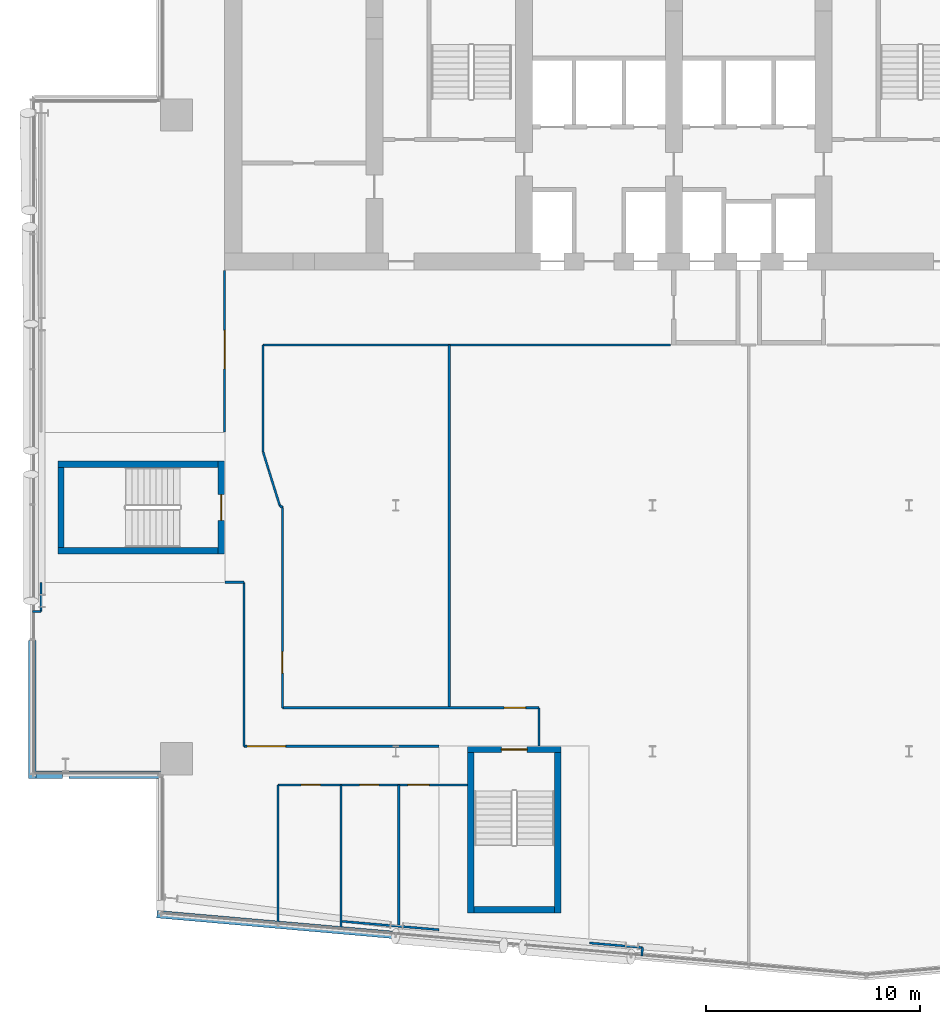
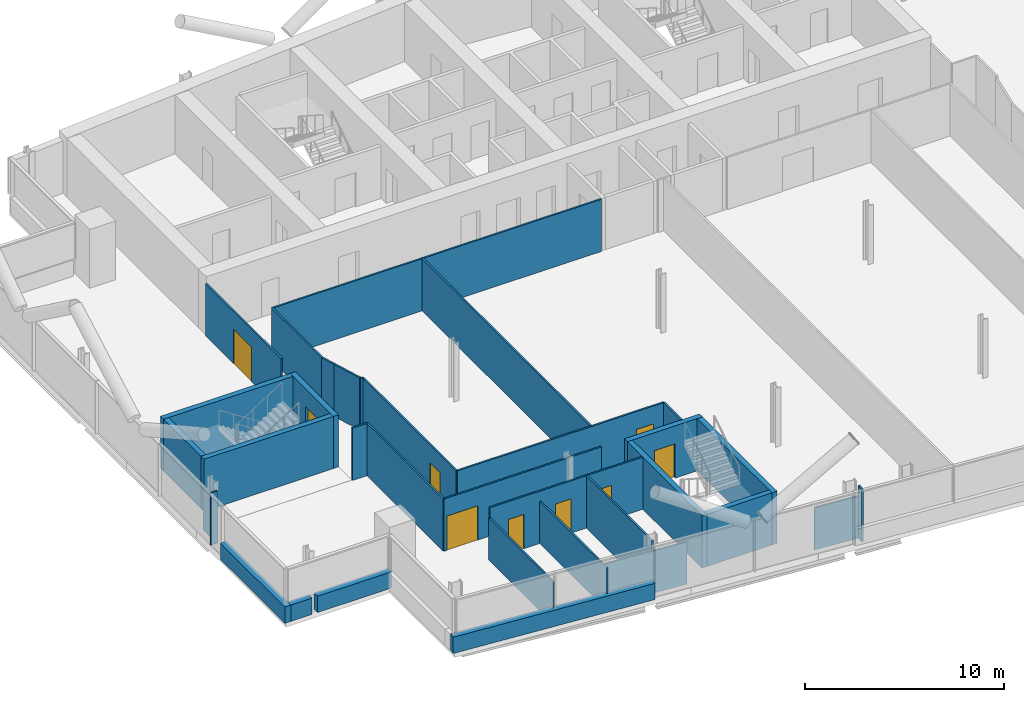
# One storey, part 14 of 26: 34 walls, 9 doors, 9 openings.
"""IFC4 building model written with IfcOpenShell, lengths in metres."""

import ifcopenshell
import ifcopenshell.guid

model = None  # the IFC model being written
_history = None  # IfcOwnerHistory: only IFC2X3 demands one
_inside = {}  # id of a spatial element -> (the spatial element, [elements in it])
_under = {}  # id of a project, library or spatial element -> (it, [spatial elements below it])
_declared = {}  # id of a project -> (the project, [libraries it declares])
_typed = {}  # id of a type object -> (the type object, [elements of that type])
_made_of = {}  # id of a material, layer set ... -> (it, [elements and type objects made of it])


def new_model(schema):
    """Start an empty IFC model of exactly this schema.

    Asked for "IFC4X3", IfcOpenShell would pick the latest addendum, in which some entities
    have other attributes; the version numbers below select the first issue.
    IFC2X3 requires an IfcOwnerHistory on every rooted entity: one is made here for all.
    """
    global model, _history
    if schema == "IFC4X3":
        model = ifcopenshell.file(schema_version=(4, 3, 0, 0))
    else:
        model = ifcopenshell.file(schema=schema)
    _inside.clear()
    _under.clear()
    _declared.clear()
    _typed.clear()
    _made_of.clear()
    _history = None
    if model.schema == "IFC2X3":
        org = make("IfcOrganization", Name="unknown")
        user = make(
            "IfcPersonAndOrganization",
            ThePerson=make("IfcPerson", FamilyName="unknown"),
            TheOrganization=org,
        )
        app = make(
            "IfcApplication",
            ApplicationDeveloper=org,
            Version="unknown",
            ApplicationFullName="unknown",
            ApplicationIdentifier="unknown",
        )
        _history = make(
            "IfcOwnerHistory",
            OwningUser=user,
            OwningApplication=app,
            ChangeAction="ADDED",
            CreationDate=0,
        )
    return model


def make(cls, **values):
    """One entity of the class cls with the attributes given. An attribute that is None is left unset."""
    return model.create_entity(
        cls, **{name: value for name, value in values.items() if value is not None}
    )


def rooted(cls, **values):
    """An entity with a GlobalId (a new one), such as an element, a storey or a relation."""
    return make(cls, GlobalId=ifcopenshell.guid.new(), OwnerHistory=_history, **values)


def si_unit(unit_type, name, prefix=None):
    """IfcSIUnit, for example si_unit("LENGTHUNIT", "METRE", prefix="MILLI")."""
    return make("IfcSIUnit", UnitType=unit_type, Prefix=prefix, Name=name)


def assignment(units):
    """IfcUnitAssignment: the units of a project."""
    return None if units is None else make("IfcUnitAssignment", Units=units)


def point(xyz):
    """IfcCartesianPoint."""
    return None if xyz is None else make("IfcCartesianPoint", Coordinates=xyz)


def direction(xyz):
    """IfcDirection."""
    return None if xyz is None else make("IfcDirection", DirectionRatios=xyz)


def frame(location, z_axis=None, x_axis=None):
    """IfcAxis2Placement3D, a coordinate frame: its origin and axes. An axis left out is left unset."""
    return make(
        "IfcAxis2Placement3D",
        Location=point(location),
        Axis=direction(z_axis),
        RefDirection=direction(x_axis),
    )


def frame_2d(location, x_axis=None):
    """IfcAxis2Placement2D, a coordinate frame in the plane: its origin and x axis."""
    return make(
        "IfcAxis2Placement2D", Location=point(location), RefDirection=direction(x_axis)
    )


def origin():
    """The frame at (0, 0, 0) with its axes left unset."""
    return frame((0.0, 0.0, 0.0))


def place(relative_to, where):
    """IfcLocalPlacement: puts the frame where relative to a parent placement (None: the world)."""
    return make(
        "IfcLocalPlacement", PlacementRelTo=relative_to, RelativePlacement=where
    )


def context(
    kind, dimensions, precision=None, world=None, true_north=None, identifier=None
):
    """IfcGeometricRepresentationContext, for example the 3D "Model" context."""
    return make(
        "IfcGeometricRepresentationContext",
        ContextIdentifier=identifier,
        ContextType=kind,
        CoordinateSpaceDimension=dimensions,
        Precision=precision,
        WorldCoordinateSystem=world,
        TrueNorth=true_north,
    )


def subcontext(parent, identifier, kind, view, scale=None):
    """IfcGeometricRepresentationSubContext, for example "Body" below "Model"."""
    return make(
        "IfcGeometricRepresentationSubContext",
        ContextIdentifier=identifier,
        ContextType=kind,
        ParentContext=parent,
        TargetScale=scale,
        TargetView=view,
    )


def project(units=None, contexts=None):
    """IfcProject with its units and contexts."""
    return rooted(
        "IfcProject",
        Name="project",
        RepresentationContexts=contexts,
        UnitsInContext=assignment(units),
    )


def spatial(cls, under=None, at=None, **own):
    """A site, building, storey or space (cls), placed at a placement, below another one or the project."""
    s = rooted(cls, ObjectPlacement=at, **own)
    if under is not None:
        _under.setdefault(under.id(), (under, []))[1].append(s)
    return s


def profile(cls, at=None, kind="AREA", **sizes):
    """A parametric profile (cls). Its sizes go by their IFC names, for example OverallWidth=200.0."""
    return make(cls, ProfileType=kind, Position=at, **sizes)


def rectangle(**sizes):
    """IfcRectangleProfileDef."""
    return profile("IfcRectangleProfileDef", **sizes)


def extrude(swept, where, along, depth):
    """IfcExtrudedAreaSolid: the profile swept, set in the frame where, extruded along a direction by depth."""
    return make(
        "IfcExtrudedAreaSolid",
        SweptArea=swept,
        Position=where,
        ExtrudedDirection=direction(along),
        Depth=depth,
    )


def shape(context_of_items, identifier, shape_type, items):
    """IfcShapeRepresentation: the items that make up one representation, for example the "Body"."""
    return make(
        "IfcShapeRepresentation",
        ContextOfItems=context_of_items,
        RepresentationIdentifier=identifier,
        RepresentationType=shape_type,
        Items=items,
    )


def material(Name=None, Category=None):
    """IfcMaterial."""
    return make("IfcMaterial", Name=Name, Category=Category)


def layer(
    of_material, thickness, ventilated=None, Name=None, Category=None, Priority=None
):
    """IfcMaterialLayer: one layer of a wall or slab, of a material (None: an air gap)."""
    return make(
        "IfcMaterialLayer",
        Material=of_material,
        LayerThickness=thickness,
        IsVentilated=ventilated,
        Name=Name,
        Category=Category,
        Priority=Priority,
    )


def layer_set(layers, Name=None):
    """IfcMaterialLayerSet."""
    return make("IfcMaterialLayerSet", MaterialLayers=layers, LayerSetName=Name)


def made_of(thing, what):
    """Note that an element or type object is made of a material, layer set ...; save() writes the relation."""
    if what is not None:
        _made_of.setdefault(what.id(), (what, []))[1].append(thing)
    return thing


def type_object(cls, material=None, **own):
    """A type object (cls), such as IfcWallType, which elements share."""
    return made_of(rooted(cls, **own), material)


def element(
    cls,
    number,
    at=None,
    inside=None,
    cuts=None,
    type_object=None,
    material=None,
    context=None,
    identifier="Body",
    shape_type=None,
    held_by="IfcProductDefinitionShape",
    body=None,
    shapes=None,
    **own,
):
    """One element of the class cls, such as IfcWall. Its Tag is "e" and its number.

    at: its placement. inside: the storey or other place that contains it. cuts: it is an
    opening in that element (IfcRelVoidsElement). A single representation is given by context,
    identifier, shape_type and body (its items); several are given by shapes. held_by: the class
    of the entity that holds the representations. save() writes the other relations.
    """
    e = rooted(cls, Tag="e%d" % number, ObjectPlacement=at, **own)
    if body is not None:
        shapes = [shape(context, identifier, shape_type, body)]
    if shapes is not None:
        e.Representation = make(held_by, Representations=shapes)
    if inside is not None:
        _inside.setdefault(inside.id(), (inside, []))[1].append(e)
    if cuts is not None:
        rooted(
            "IfcRelVoidsElement", RelatingBuildingElement=cuts, RelatedOpeningElement=e
        )
    if type_object is not None:
        _typed.setdefault(type_object.id(), (type_object, []))[1].append(e)
    return made_of(e, material)


def fill(opening, filler):
    """IfcRelFillsElement: the door or window that sits in an opening."""
    return rooted(
        "IfcRelFillsElement",
        RelatingOpeningElement=opening,
        RelatedBuildingElement=filler,
    )


def aggregate(whole, parts):
    """IfcRelAggregates: a whole, such as a stair, and the parts it consists of."""
    return rooted("IfcRelAggregates", RelatingObject=whole, RelatedObjects=parts)


def save(model, path):
    """Write the relations noted so far, then the file.

    IfcRelAggregates (storeys below a building ...), IfcRelContainedInSpatialStructure (elements
    in a storey), IfcRelDefinesByType, IfcRelAssociatesMaterial and IfcRelDeclares: one each for
    every whole, place, type object, material and project.
    """
    for whole, parts in _under.values():
        aggregate(whole, parts)
    for where, things in _inside.values():
        rooted(
            "IfcRelContainedInSpatialStructure",
            RelatedElements=things,
            RelatingStructure=where,
        )
    for kind, things in _typed.values():
        rooted("IfcRelDefinesByType", RelatedObjects=things, RelatingType=kind)
    for what, things in _made_of.values():
        rooted("IfcRelAssociatesMaterial", RelatedObjects=things, RelatingMaterial=what)
    for by, libraries in _declared.values():
        rooted("IfcRelDeclares", RelatingContext=by, RelatedDefinitions=libraries)
    model.write(path)


model = new_model("IFC4")

# Units and contexts
model_context = context("Model", 3, precision=1e-05, world=origin(), true_north=direction((0.0, 1.0)))
body_context = subcontext(model_context, "Body", "Model", "MODEL_VIEW")
ifc_project = project(units=[si_unit("LENGTHUNIT", "METRE"), si_unit("AREAUNIT", "SQUARE_METRE"), si_unit("VOLUMEUNIT", "CUBIC_METRE"), si_unit("PLANEANGLEUNIT", "RADIAN"), si_unit("MASSUNIT", "GRAM", prefix="KILO")], contexts=[model_context])

# Site, building, storey
site_placement = place(None, origin())
site = spatial("IfcSite", under=ifc_project, at=site_placement, CompositionType="ELEMENT")
building_placement = place(site_placement, origin())
building = spatial("IfcBuilding", under=site, at=building_placement, Name="Wharfspan Tower", CompositionType="ELEMENT")
storey_placement = place(building_placement, frame((0.0, 0.0, 180.699951)))
storey = spatial("IfcBuildingStorey", under=building, at=storey_placement, Name="L44", CompositionType="ELEMENT", Elevation=180.699951)

# Wall, opening, door
ifc_material_1 = material(Name="Gypsum board on steel studs", Category="steel")
ifc_layer_1 = layer(ifc_material_1, 0.100098)
ifc_layer_set_1 = layer_set([ifc_layer_1], Name="Gypsum board on steel studs")
wall_type_1 = type_object("IfcWallType", Name="Compartment wall 100 EI 60", PredefinedType="PARTITIONING", material=ifc_layer_set_1)
wall_1_placement = place(storey_placement, frame((16.0, 26.419922, 0.0), z_axis=(0.0, 0.0, 1.0), x_axis=(0.0, 1.0, 0.0)))
wall_1 = element("IfcWall", 1, at=wall_1_placement, inside=storey, type_object=wall_type_1, Name="Partition L44.w004", PredefinedType="PARTITIONING", context=body_context, shape_type="SweptSolid", body=[
    extrude(rectangle(XDim=7.560059, YDim=0.100098, at=frame_2d((3.780029, 0.0))), origin(), (0.0, 0.0, 1.0), 3.199951),
])
opening_1_placement = place(wall_1_placement, frame((2.959961, 0.0, 0.0)))
opening_1 = element("IfcOpeningElement", 2, at=opening_1_placement, cuts=wall_1, Name="Opening C4-10", PredefinedType="OPENING", context=body_context, shape_type="SweptSolid", body=[
    extrude(rectangle(XDim=1.800049, YDim=2.100098, at=frame_2d((0.899902, 1.050049))), frame((0.0, 0.060059, 0.0), z_axis=(0.0, -1.0, 0.0), x_axis=(1.0, 0.0, 0.0)), (0.0, 0.0, 1.0), 0.120117),
])
ifc_material_2 = material(Name="Fire-rated timber door leaf in steel frame", Category="steel")
door_type_1 = type_object("IfcDoorType", Name="Door 1800 FD30S Double", OperationType="DOUBLE_DOOR_SINGLE_SWING", PredefinedType="DOOR", material=ifc_material_2)
door_1_placement = place(opening_1_placement, origin())
door_1 = element("IfcDoor", 3, at=door_1_placement, inside=storey, type_object=door_type_1, Name="Door C4-10", OperationType="DOUBLE_DOOR_SINGLE_SWING", OverallHeight=2.100098, OverallWidth=1.800049, PredefinedType="DOOR", context=body_context, shape_type="SweptSolid", body=[
    extrude(rectangle(XDim=1.800049, YDim=2.100098, at=frame_2d((0.899902, 1.050049))), frame((0.0, 0.024902, 0.0), z_axis=(0.0, -1.0, 0.0), x_axis=(1.0, 0.0, 0.0)), (0.0, 0.0, 1.0), 0.050049),
])
fill(opening_1, door_1)

# Walls
wall_2_placement = place(storey_placement, frame((16.02002, 19.399902, 0.0), z_axis=(0.0, 0.0, 1.0), x_axis=(1.0, 0.0, 0.0)))
element("IfcWall", 4, at=wall_2_placement, inside=storey, type_object=wall_type_1, Name="Partition L44.w005", PredefinedType="PARTITIONING", context=body_context, shape_type="SweptSolid", body=[
    extrude(rectangle(XDim=0.879883, YDim=0.100098, at=frame_2d((0.439941, 0.0))), origin(), (0.0, 0.0, 1.0), 3.199951),
])
wall_3_placement = place(storey_placement, frame((16.899902, 11.735107, 0.0), z_axis=(0.0, 0.0, 1.0), x_axis=(0.0, 1.0, 0.0)))
element("IfcWall", 5, at=wall_3_placement, inside=storey, type_object=wall_type_1, Name="Partition L44.w006", PredefinedType="PARTITIONING", context=body_context, shape_type="SweptSolid", body=[
    extrude(rectangle(XDim=7.664795, YDim=0.100098, at=frame_2d((3.83252, 0.0))), origin(), (0.0, 0.0, 1.0), 3.199951),
])

# Wall, opening, door
wall_4_placement = place(storey_placement, frame((16.899902, 11.735107, 0.0), z_axis=(0.0, 0.0, 1.0), x_axis=(1.0, 0.0, 0.0)))
wall_4 = element("IfcWall", 6, at=wall_4_placement, inside=storey, type_object=wall_type_1, Name="Partition L44.w007", PredefinedType="PARTITIONING", context=body_context, shape_type="SweptSolid", body=[
    extrude(rectangle(XDim=9.119385, YDim=0.100098, at=frame_2d((4.55957, 0.0))), origin(), (0.0, 0.0, 1.0), 3.199951),
])
opening_2_placement = place(wall_4_placement, frame((0.155029, 0.0, 0.0)))
opening_2 = element("IfcOpeningElement", 7, at=opening_2_placement, cuts=wall_4, Name="Opening C4-04", PredefinedType="OPENING", context=body_context, shape_type="SweptSolid", body=[
    extrude(rectangle(XDim=1.800049, YDim=2.100098, at=frame_2d((0.899902, 1.050049))), frame((0.0, 0.060059, 0.0), z_axis=(0.0, -1.0, 0.0), x_axis=(1.0, 0.0, 0.0)), (0.0, 0.0, 1.0), 0.120117),
])
door_2_placement = place(opening_2_placement, origin())
door_2 = element("IfcDoor", 8, at=door_2_placement, inside=storey, type_object=door_type_1, Name="Door C4-04", OperationType="DOUBLE_DOOR_SINGLE_SWING", OverallHeight=2.100098, OverallWidth=1.800049, PredefinedType="DOOR", context=body_context, shape_type="SweptSolid", body=[
    extrude(rectangle(XDim=1.800049, YDim=2.100098, at=frame_2d((0.899902, 1.050049))), frame((0.0, 0.024902, 0.0), z_axis=(0.0, -1.0, 0.0), x_axis=(1.0, 0.0, 0.0)), (0.0, 0.0, 1.0), 0.050049),
])
fill(opening_2, door_2)

# Walls
wall_5_placement = place(storey_placement, frame((17.800049, 25.485107, 0.0), z_axis=(0.0, 0.0, 1.0), x_axis=(0.0, 1.0, 0.0)))
element("IfcWall", 9, at=wall_5_placement, inside=storey, type_object=wall_type_1, Name="Partition L44.w008", PredefinedType="PARTITIONING", context=body_context, shape_type="SweptSolid", body=[
    extrude(rectangle(XDim=5.014893, YDim=0.100098, at=frame_2d((2.507324, 0.0))), origin(), (0.0, 0.0, 1.0), 3.199951),
])
wall_6_placement = place(storey_placement, frame((17.800049, 30.5, 0.0), z_axis=(0.0, 0.0, 1.0), x_axis=(1.0, 0.0, 0.0)))
element("IfcWall", 10, at=wall_6_placement, inside=storey, type_object=wall_type_1, Name="Partition L44.w009", PredefinedType="PARTITIONING", context=body_context, shape_type="SweptSolid", body=[
    extrude(rectangle(XDim=19.050049, YDim=0.100098, at=frame_2d((9.524902, 0.0))), origin(), (0.0, 0.0, 1.0), 3.199951),
])
wall_7_placement = place(storey_placement, frame((18.054932, 24.659912, 0.0), z_axis=(0.0, 0.0, 1.0), x_axis=(-0.295119, 0.955462, 0.0)))
element("IfcWall", 11, at=wall_7_placement, inside=storey, type_object=wall_type_1, Name="Partition L44.w010", PredefinedType="PARTITIONING", context=body_context, shape_type="SweptSolid", body=[
    extrude(rectangle(XDim=0.86377, YDim=0.100098, at=frame_2d((0.431885, 0.0))), origin(), (0.0, 0.0, 1.0), 3.199951),
])
wall_8_placement = place(storey_placement, frame((18.574951, 22.995117, 0.0), z_axis=(0.0, 0.0, 1.0), x_axis=(-0.298155, 0.954516, 0.0)))
element("IfcWall", 12, at=wall_8_placement, inside=storey, type_object=wall_type_1, Name="Partition L44.w013", PredefinedType="PARTITIONING", context=body_context, shape_type="SweptSolid", body=[
    extrude(rectangle(XDim=1.744141, YDim=0.100098, at=frame_2d((0.87207, 0.0))), origin(), (0.0, 0.0, 1.0), 3.199951),
])
wall_9_placement = place(storey_placement, frame((18.699951, 22.899902, 0.0), z_axis=(0.0, 0.0, 1.0), x_axis=(-0.795501, 0.605948, 0.0)))
element("IfcWall", 13, at=wall_9_placement, inside=storey, type_object=wall_type_1, Name="Partition L44.w014", PredefinedType="PARTITIONING", context=body_context, shape_type="SweptSolid", body=[
    extrude(rectangle(XDim=0.157227, YDim=0.100098, at=frame_2d((0.078613, 0.0))), origin(), (0.0, 0.0, 1.0), 3.199951),
])

# Wall, opening, door
wall_10_placement = place(storey_placement, frame((18.699951, 13.534912, 0.0), z_axis=(0.0, 0.0, 1.0), x_axis=(0.0, 1.0, 0.0)))
wall_10 = element("IfcWall", 14, at=wall_10_placement, inside=storey, type_object=wall_type_1, Name="Partition L44.w015", PredefinedType="PARTITIONING", context=body_context, shape_type="SweptSolid", body=[
    extrude(rectangle(XDim=9.36499, YDim=0.100098, at=frame_2d((4.682617, 0.0))), origin(), (0.0, 0.0, 1.0), 3.199951),
])
opening_3_placement = place(wall_10_placement, frame((1.620117, 0.0, 0.0)))
opening_3 = element("IfcOpeningElement", 15, at=opening_3_placement, cuts=wall_10, Name="Opening C4-06", PredefinedType="OPENING", context=body_context, shape_type="SweptSolid", body=[
    extrude(rectangle(XDim=1.0, YDim=2.100098, at=frame_2d((0.5, 1.050049))), frame((0.0, 0.060059, 0.0), z_axis=(0.0, -1.0, 0.0), x_axis=(1.0, 0.0, 0.0)), (0.0, 0.0, 1.0), 0.120117),
])
door_type_2 = type_object("IfcDoorType", Name="Door 1000 FD30S Left", OperationType="SINGLE_SWING_LEFT", PredefinedType="DOOR", material=ifc_material_2)
door_3_placement = place(opening_3_placement, origin())
door_3 = element("IfcDoor", 16, at=door_3_placement, inside=storey, type_object=door_type_2, Name="Door C4-06", OperationType="SINGLE_SWING_LEFT", OverallHeight=2.100098, OverallWidth=1.0, PredefinedType="DOOR", context=body_context, shape_type="SweptSolid", body=[
    extrude(rectangle(XDim=1.0, YDim=2.100098, at=frame_2d((0.5, 1.050049))), frame((0.0, 0.024902, 0.0), z_axis=(0.0, -1.0, 0.0), x_axis=(1.0, 0.0, 0.0)), (0.0, 0.0, 1.0), 0.050049),
])
fill(opening_3, door_3)

wall_11_placement = place(storey_placement, frame((18.699951, 13.534912, 0.0), z_axis=(0.0, 0.0, 1.0), x_axis=(1.0, 0.0, 0.0)))
wall_11 = element("IfcWall", 17, at=wall_11_placement, inside=storey, type_object=wall_type_1, Name="Partition L44.w016", PredefinedType="PARTITIONING", context=body_context, shape_type="SweptSolid", body=[
    extrude(rectangle(XDim=11.98999, YDim=0.100098, at=frame_2d((5.995117, 0.0))), origin(), (0.0, 0.0, 1.0), 3.199951),
])
opening_4_placement = place(wall_11_placement, frame((10.370117, 0.0, 0.0)))
opening_4 = element("IfcOpeningElement", 18, at=opening_4_placement, cuts=wall_11, Name="Opening C4-05", PredefinedType="OPENING", context=body_context, shape_type="SweptSolid", body=[
    extrude(rectangle(XDim=1.0, YDim=2.100098, at=frame_2d((0.5, 1.050049))), frame((0.0, 0.060059, 0.0), z_axis=(0.0, -1.0, 0.0), x_axis=(1.0, 0.0, 0.0)), (0.0, 0.0, 1.0), 0.120117),
])
door_type_3 = type_object("IfcDoorType", Name="Door 1000 FD30S Right", OperationType="SINGLE_SWING_RIGHT", PredefinedType="DOOR", material=ifc_material_2)
door_4_placement = place(opening_4_placement, origin())
door_4 = element("IfcDoor", 19, at=door_4_placement, inside=storey, type_object=door_type_3, Name="Door C4-05", OperationType="SINGLE_SWING_RIGHT", OverallHeight=2.100098, OverallWidth=1.0, PredefinedType="DOOR", context=body_context, shape_type="SweptSolid", body=[
    extrude(rectangle(XDim=1.0, YDim=2.100098, at=frame_2d((0.5, 1.050049))), frame((0.0, 0.024902, 0.0), z_axis=(0.0, -1.0, 0.0), x_axis=(1.0, 0.0, 0.0)), (0.0, 0.0, 1.0), 0.050049),
])
fill(opening_4, door_4)

# Walls
wall_12_placement = place(storey_placement, frame((26.5, 13.534912, 0.0), z_axis=(0.0, 0.0, 1.0), x_axis=(0.0, 1.0, 0.0)))
element("IfcWall", 20, at=wall_12_placement, inside=storey, type_object=wall_type_1, Name="Partition L44.w021", PredefinedType="PARTITIONING", context=body_context, shape_type="SweptSolid", body=[
    extrude(rectangle(XDim=16.965088, YDim=0.100098, at=frame_2d((8.482422, 0.0))), origin(), (0.0, 0.0, 1.0), 3.199951),
])
wall_13_placement = place(storey_placement, frame((30.689941, 11.754395, 0.0), z_axis=(0.0, 0.0, 1.0), x_axis=(0.0, 1.0, 0.0)))
element("IfcWall", 21, at=wall_13_placement, inside=storey, type_object=wall_type_1, Name="Partition L44.w022", PredefinedType="PARTITIONING", context=body_context, shape_type="SweptSolid", body=[
    extrude(rectangle(XDim=1.780518, YDim=0.100098, at=frame_2d((0.890137, 0.0))), origin(), (0.0, 0.0, 1.0), 3.199951),
])
ifc_layer_2 = layer(ifc_material_1, 0.100098)
ifc_layer_set_2 = layer_set([ifc_layer_2], Name="Gypsum board on steel studs")
wall_type_2 = type_object("IfcWallType", Name="Partition 100", PredefinedType="PARTITIONING", material=ifc_layer_set_2)
wall_14_placement = place(storey_placement, frame((7.02002, 18.034912, 0.0), z_axis=(0.0, 0.0, 1.0), x_axis=(1.0, 0.0, 0.0)))
element("IfcWall", 22, at=wall_14_placement, inside=storey, type_object=wall_type_2, Name="Partition L44.w001", PredefinedType="PARTITIONING", context=body_context, shape_type="SweptSolid", body=[
    extrude(rectangle(XDim=0.399902, YDim=0.100098, at=frame_2d((0.199951, 0.0))), origin(), (0.0, 0.0, 1.0), 3.199951),
])
wall_15_placement = place(storey_placement, frame((7.419922, 18.034912, 0.0), z_axis=(0.0, 0.0, 1.0), x_axis=(0.0, 1.0, 0.0)))
element("IfcWall", 23, at=wall_15_placement, inside=storey, type_object=wall_type_2, Name="Partition L44.w002", PredefinedType="PARTITIONING", context=body_context, shape_type="SweptSolid", body=[
    extrude(rectangle(XDim=1.344971, YDim=0.100098, at=frame_2d((0.672363, 0.0))), origin(), (0.0, 0.0, 1.0), 2.580078),
])
wall_16_placement = place(storey_placement, frame((18.5, 3.414062, 0.0), z_axis=(0.0, 0.0, 1.0), x_axis=(0.0, 1.0, 0.0)))
element("IfcWall", 24, at=wall_16_placement, inside=storey, type_object=wall_type_2, Name="Partition L44.w011", PredefinedType="PARTITIONING", context=body_context, shape_type="SweptSolid", body=[
    extrude(rectangle(XDim=6.515869, YDim=0.100098, at=frame_2d((3.257812, 0.0))), origin(), (0.0, 0.0, 1.0), 2.580078),
])

# Wall, openings, doors
wall_17_placement = place(storey_placement, frame((18.5, 9.929932, 0.0), z_axis=(0.0, 0.0, 1.0), x_axis=(1.0, 0.0, 0.0)))
wall_17 = element("IfcWall", 25, at=wall_17_placement, inside=storey, type_object=wall_type_2, Name="Partition L44.w012", PredefinedType="PARTITIONING", context=body_context, shape_type="SweptSolid", body=[
    extrude(rectangle(XDim=8.864258, YDim=0.100098, at=frame_2d((4.432129, 0.0))), origin(), (0.0, 0.0, 1.0), 3.199951),
])
opening_5_placement = place(wall_17_placement, frame((1.073242, 0.0, 0.0)))
opening_5 = element("IfcOpeningElement", 26, at=opening_5_placement, cuts=wall_17, Name="Opening C4-01", PredefinedType="OPENING", context=body_context, shape_type="SweptSolid", body=[
    extrude(rectangle(XDim=0.899902, YDim=2.100098, at=frame_2d((0.449951, 1.050049))), frame((0.0, 0.060059, 0.0), z_axis=(0.0, -1.0, 0.0), x_axis=(1.0, 0.0, 0.0)), (0.0, 0.0, 1.0), 0.120117),
])
opening_6_placement = place(wall_17_placement, frame((3.80835, 0.0, 0.0)))
opening_6 = element("IfcOpeningElement", 27, at=opening_6_placement, cuts=wall_17, Name="Opening C4-02", PredefinedType="OPENING", context=body_context, shape_type="SweptSolid", body=[
    extrude(rectangle(XDim=0.899902, YDim=2.100098, at=frame_2d((0.449951, 1.050049))), frame((0.0, 0.060059, 0.0), z_axis=(0.0, -1.0, 0.0), x_axis=(1.0, 0.0, 0.0)), (0.0, 0.0, 1.0), 0.120117),
])
opening_7_placement = place(wall_17_placement, frame((6.063232, 0.0, 0.0)))
opening_7 = element("IfcOpeningElement", 28, at=opening_7_placement, cuts=wall_17, Name="Opening C4-03", PredefinedType="OPENING", context=body_context, shape_type="SweptSolid", body=[
    extrude(rectangle(XDim=1.0, YDim=2.100098, at=frame_2d((0.5, 1.050049))), frame((0.0, 0.060059, 0.0), z_axis=(0.0, -1.0, 0.0), x_axis=(1.0, 0.0, 0.0)), (0.0, 0.0, 1.0), 0.120117),
])
ifc_material_3 = material(Name="Timber door leaf in steel frame", Category="steel")
door_type_4 = type_object("IfcDoorType", Name="Door 1000 NOT RATED Right", OperationType="SINGLE_SWING_RIGHT", PredefinedType="DOOR", material=ifc_material_3)
door_5_placement = place(opening_7_placement, origin())
door_5 = element("IfcDoor", 29, at=door_5_placement, inside=storey, type_object=door_type_4, Name="Door C4-03", OperationType="SINGLE_SWING_RIGHT", OverallHeight=2.100098, OverallWidth=1.0, PredefinedType="DOOR", context=body_context, shape_type="SweptSolid", body=[
    extrude(rectangle(XDim=1.0, YDim=2.100098, at=frame_2d((0.5, 1.050049))), frame((0.0, 0.024902, 0.0), z_axis=(0.0, -1.0, 0.0), x_axis=(1.0, 0.0, 0.0)), (0.0, 0.0, 1.0), 0.050049),
])
fill(opening_7, door_5)
door_type_5 = type_object("IfcDoorType", Name="Door 900 NOT RATED Left", OperationType="SINGLE_SWING_LEFT", PredefinedType="DOOR", material=ifc_material_3)
door_6_placement = place(opening_5_placement, origin())
door_6 = element("IfcDoor", 30, at=door_6_placement, inside=storey, type_object=door_type_5, Name="Door C4-01", OperationType="SINGLE_SWING_LEFT", OverallHeight=2.100098, OverallWidth=0.899902, PredefinedType="DOOR", context=body_context, shape_type="SweptSolid", body=[
    extrude(rectangle(XDim=0.899902, YDim=2.100098, at=frame_2d((0.449951, 1.050049))), frame((0.0, 0.024902, 0.0), z_axis=(0.0, -1.0, 0.0), x_axis=(1.0, 0.0, 0.0)), (0.0, 0.0, 1.0), 0.050049),
])
fill(opening_5, door_6)
door_7_placement = place(opening_6_placement, origin())
door_7 = element("IfcDoor", 31, at=door_7_placement, inside=storey, type_object=door_type_5, Name="Door C4-02", OperationType="SINGLE_SWING_LEFT", OverallHeight=2.100098, OverallWidth=0.899902, PredefinedType="DOOR", context=body_context, shape_type="SweptSolid", body=[
    extrude(rectangle(XDim=0.899902, YDim=2.100098, at=frame_2d((0.449951, 1.050049))), frame((0.0, 0.024902, 0.0), z_axis=(0.0, -1.0, 0.0), x_axis=(1.0, 0.0, 0.0)), (0.0, 0.0, 1.0), 0.050049),
])
fill(opening_6, door_7)

# Walls
wall_18_placement = place(storey_placement, frame((21.435059, 3.165039, 0.0), z_axis=(0.0, 0.0, 1.0), x_axis=(0.0, 1.0, 0.0)))
element("IfcWall", 32, at=wall_18_placement, inside=storey, type_object=wall_type_2, Name="Partition L44.w017", PredefinedType="PARTITIONING", context=body_context, shape_type="SweptSolid", body=[
    extrude(rectangle(XDim=6.764893, YDim=0.100098, at=frame_2d((3.382324, 0.0))), origin(), (0.0, 0.0, 1.0), 2.580078),
])
wall_19_placement = place(storey_placement, frame((24.139893, 3.320068, 0.0), z_axis=(0.0, 0.0, 1.0), x_axis=(0.0, 1.0, 0.0)))
element("IfcWall", 33, at=wall_19_placement, inside=storey, type_object=wall_type_2, Name="Partition L44.w019", PredefinedType="PARTITIONING", context=body_context, shape_type="SweptSolid", body=[
    extrude(rectangle(XDim=6.609863, YDim=0.100098, at=frame_2d((3.304932, 0.0))), origin(), (0.0, 0.0, 1.0), 3.199951),
])
wall_20_placement = place(storey_placement, frame((26.019287, 3.156738, 0.0), z_axis=(0.0, 0.0, 1.0), x_axis=(-0.996266, 0.086322, 0.0)))
element("IfcWall", 34, at=wall_20_placement, inside=storey, type_object=wall_type_2, Name="Partition L44.w020", PredefinedType="PARTITIONING", context=body_context, shape_type="SweptSolid", body=[
    extrude(rectangle(XDim=4.556396, YDim=0.100098, at=frame_2d((2.27832, 0.0))), origin(), (0.0, 0.0, 1.0), 2.580078),
])
wall_21_placement = place(storey_placement, frame((35.501709, 1.926514, 0.0), z_axis=(0.0, 0.0, 1.0), x_axis=(0.083045, 0.996542, 0.0)))
element("IfcWall", 35, at=wall_21_placement, inside=storey, type_object=wall_type_2, Name="Partition L44.w023", PredefinedType="PARTITIONING", context=body_context, shape_type="SweptSolid", body=[
    extrude(rectangle(XDim=0.399902, YDim=0.100098, at=frame_2d((0.199951, 0.0))), origin(), (0.0, 0.0, 1.0), 3.199951),
])
wall_22_placement = place(storey_placement, frame((35.534912, 2.324951, 0.0), z_axis=(0.0, 0.0, 1.0), x_axis=(-0.996311, 0.085867, 0.0)))
element("IfcWall", 36, at=wall_22_placement, inside=storey, type_object=wall_type_2, Name="Partition L44.w024", PredefinedType="PARTITIONING", context=body_context, shape_type="SweptSolid", body=[
    extrude(rectangle(XDim=2.485107, YDim=0.100098, at=frame_2d((1.242676, 0.0))), origin(), (0.0, 0.0, 1.0), 2.580078),
])
ifc_material_4 = material(Name="Concrete C40/50", Category="concrete")
ifc_layer_3 = layer(ifc_material_4, 0.350098)
ifc_layer_set_3 = layer_set([ifc_layer_3], Name="Concrete C40/50")
wall_type_3 = type_object("IfcWallType", Name="SPANDREL EXPOSED CONCRETE 350", PredefinedType="SOLIDWALL", material=ifc_layer_set_3)
wall_23_placement = place(storey_placement, frame((12.835205, 3.884521, 0.0), z_axis=(0.0, 0.0, 1.0), x_axis=(0.996199, -0.087154, 0.0)))
element("IfcWall", 37, at=wall_23_placement, inside=storey, type_object=wall_type_3, Name="Spandrel upstand L44 S1 1", PredefinedType="SOLIDWALL", context=body_context, shape_type="SweptSolid", body=[
    extrude(rectangle(XDim=11.177002, YDim=0.350098, at=frame_2d((5.588379, 0.0))), origin(), (0.0, 0.0, 1.0), 1.0),
])
wall_24_placement = place(storey_placement, frame((6.995117, 16.689941, 0.0), z_axis=(0.0, 0.0, 1.0), x_axis=(0.0, -1.0, 0.0)))
element("IfcWall", 38, at=wall_24_placement, inside=storey, type_object=wall_type_3, Name="Spandrel upstand L44 W", PredefinedType="SOLIDWALL", context=body_context, shape_type="SweptSolid", body=[
    extrude(rectangle(XDim=6.469971, YDim=0.350098, at=frame_2d((3.234863, 0.0))), origin(), (0.0, 0.0, 1.0), 1.0),
])
wall_25_placement = place(storey_placement, frame((7.169922, 10.39502, 0.0), z_axis=(0.0, 0.0, 1.0), x_axis=(1.0, 0.0, 0.0)))
element("IfcWall", 39, at=wall_25_placement, inside=storey, type_object=wall_type_3, Name="Spandrel upstand L44 NFW-H", PredefinedType="SOLIDWALL", context=body_context, shape_type="SweptSolid", body=[
    extrude(rectangle(XDim=1.238281, YDim=0.350098, at=frame_2d((0.619141, 0.0))), origin(), (0.0, 0.0, 1.0), 1.0),
])
wall_26_placement = place(storey_placement, frame((8.713379, 10.39502, 0.0), z_axis=(0.0, 0.0, 1.0), x_axis=(1.0, 0.0, 0.0)))
element("IfcWall", 40, at=wall_26_placement, inside=storey, type_object=wall_type_3, Name="Spandrel upstand L44 NFW-H 2", PredefinedType="SOLIDWALL", context=body_context, shape_type="SweptSolid", body=[
    extrude(rectangle(XDim=4.286621, YDim=0.350098, at=frame_2d((2.143311, 0.0))), origin(), (0.0, 0.0, 1.0), 1.0),
])

# Wall, opening, door
ifc_layer_4 = layer(ifc_material_4, 0.300049)
ifc_layer_set_4 = layer_set([ifc_layer_4], Name="Concrete C40/50")
wall_type_4 = type_object("IfcWallType", Name="Stair core wall 300", PredefinedType="SHEAR", material=ifc_layer_set_4)
wall_27_placement = place(storey_placement, frame((15.850098, 20.725098, 0.0), z_axis=(0.0, 0.0, 1.0), x_axis=(0.0, 1.0, 0.0)))
wall_27 = element("IfcWall", 41, at=wall_27_placement, inside=storey, type_object=wall_type_4, Name="ST3 stair enclosure wall L44", PredefinedType="SHEAR", context=body_context, shape_type="SweptSolid", body=[
    extrude(rectangle(XDim=4.349854, YDim=0.300049, at=frame_2d((2.174805, 0.0))), origin(), (0.0, 0.0, 1.0), 3.199951),
])
opening_8_placement = place(wall_27_placement, frame((1.574951, 0.0, 0.0)))
opening_8 = element("IfcOpeningElement", 42, at=opening_8_placement, cuts=wall_27, Name="Opening SD3.L44", PredefinedType="OPENING", context=body_context, shape_type="SweptSolid", body=[
    extrude(rectangle(XDim=1.199951, YDim=2.100098, at=frame_2d((0.600098, 1.050049))), frame((0.0, 0.159912, 0.0), z_axis=(0.0, -1.0, 0.0), x_axis=(1.0, 0.0, 0.0)), (0.0, 0.0, 1.0), 0.320068),
])
ifc_material_5 = material(Name="Steel door leaf", Category="steel")
door_type_6 = type_object("IfcDoorType", Name="Stair door 1200x2100", OperationType="SINGLE_SWING_LEFT", PredefinedType="DOOR", material=ifc_material_5)
door_8_placement = place(opening_8_placement, origin())
door_8 = element("IfcDoor", 43, at=door_8_placement, inside=storey, type_object=door_type_6, Name="sd:L44:ST3z3", OperationType="SINGLE_SWING_RIGHT", OverallHeight=2.100098, OverallWidth=1.199951, PredefinedType="DOOR", context=body_context, shape_type="SweptSolid", body=[
    extrude(rectangle(XDim=1.199951, YDim=2.100098, at=frame_2d((0.600098, 1.050049))), frame((0.0, 0.024902, 0.0), z_axis=(0.0, -1.0, 0.0), x_axis=(1.0, 0.0, 0.0)), (0.0, 0.0, 1.0), 0.050049),
])
fill(opening_8, door_8)

wall_28_placement = place(storey_placement, frame((27.364258, 11.584229, 0.0), z_axis=(0.0, 0.0, 1.0), x_axis=(1.0, 0.0, 0.0)))
wall_28 = element("IfcWall", 44, at=wall_28_placement, inside=storey, type_object=wall_type_4, Name="ST4 stair enclosure wall L44", PredefinedType="SHEAR", context=body_context, shape_type="SweptSolid", body=[
    extrude(rectangle(XDim=4.349854, YDim=0.300049, at=frame_2d((2.174805, 0.0))), origin(), (0.0, 0.0, 1.0), 3.199951),
])
opening_9_placement = place(wall_28_placement, frame((1.574951, 0.0, 0.0)))
opening_9 = element("IfcOpeningElement", 45, at=opening_9_placement, cuts=wall_28, Name="Opening SD4.L44", PredefinedType="OPENING", context=body_context, shape_type="SweptSolid", body=[
    extrude(rectangle(XDim=1.199951, YDim=2.100098, at=frame_2d((0.600098, 1.050049))), frame((0.0, 0.159912, 0.0), z_axis=(0.0, -1.0, 0.0), x_axis=(1.0, 0.0, 0.0)), (0.0, 0.0, 1.0), 0.320068),
])
door_9_placement = place(opening_9_placement, origin())
door_9 = element("IfcDoor", 46, at=door_9_placement, inside=storey, type_object=door_type_6, Name="sd:L44:ST4z3", OperationType="SINGLE_SWING_RIGHT", OverallHeight=2.100098, OverallWidth=1.199951, PredefinedType="DOOR", context=body_context, shape_type="SweptSolid", body=[
    extrude(rectangle(XDim=1.199951, YDim=2.100098, at=frame_2d((0.600098, 1.050049))), frame((0.0, 0.024902, 0.0), z_axis=(0.0, -1.0, 0.0), x_axis=(1.0, 0.0, 0.0)), (0.0, 0.0, 1.0), 0.050049),
])
fill(opening_9, door_9)

# Walls
for number, where, z_axis, x_axis, name in (
    (47, (8.199951, 20.875, 0.0), (0.0, 0.0, 1.0), (1.0, 0.0, 0.0), "ST3 stair enclosure wall L44"),
    (48, (8.199951, 24.925049, 0.0), (0.0, 0.0, 1.0), (1.0, 0.0, 0.0), "ST3 stair enclosure wall L44"),
):
    element("IfcWall", number, at=place(storey_placement, frame(where, z_axis=z_axis, x_axis=x_axis)), inside=storey, type_object=wall_type_4, Name=name, PredefinedType="SHEAR", context=body_context, shape_type="SweptSolid", body=[
        extrude(rectangle(XDim=7.5, YDim=0.300049, at=frame_2d((3.75, 0.0))), origin(), (0.0, 0.0, 1.0), 3.199951),
    ])
wall_29_placement = place(storey_placement, frame((8.350098, 21.024902, 0.0), z_axis=(0.0, 0.0, 1.0), x_axis=(0.0, 1.0, 0.0)))
element("IfcWall", 49, at=wall_29_placement, inside=storey, type_object=wall_type_4, Name="ST3 stair enclosure wall L44", PredefinedType="SHEAR", context=body_context, shape_type="SweptSolid", body=[
    extrude(rectangle(XDim=3.75, YDim=0.300049, at=frame_2d((1.875, 0.0))), origin(), (0.0, 0.0, 1.0), 3.199951),
])
for number, where, z_axis, x_axis, name in (
    (50, (27.51416, 3.934326, 0.0), (0.0, 0.0, 1.0), (0.0, 1.0, 0.0), "ST4 stair enclosure wall L44"),
    (51, (31.564209, 3.934326, 0.0), (0.0, 0.0, 1.0), (0.0, 1.0, 0.0), "ST4 stair enclosure wall L44"),
):
    element("IfcWall", number, at=place(storey_placement, frame(where, z_axis=z_axis, x_axis=x_axis)), inside=storey, type_object=wall_type_4, Name=name, PredefinedType="SHEAR", context=body_context, shape_type="SweptSolid", body=[
        extrude(rectangle(XDim=7.5, YDim=0.300049, at=frame_2d((3.75, 0.0))), origin(), (0.0, 0.0, 1.0), 3.199951),
    ])
wall_30_placement = place(storey_placement, frame((27.664307, 4.084229, 0.0), z_axis=(0.0, 0.0, 1.0), x_axis=(1.0, 0.0, 0.0)))
element("IfcWall", 52, at=wall_30_placement, inside=storey, type_object=wall_type_4, Name="ST4 stair enclosure wall L44", PredefinedType="SHEAR", context=body_context, shape_type="SweptSolid", body=[
    extrude(rectangle(XDim=3.75, YDim=0.300049, at=frame_2d((1.875, 0.0))), origin(), (0.0, 0.0, 1.0), 3.199951),
])

save(model, "model.ifc")
